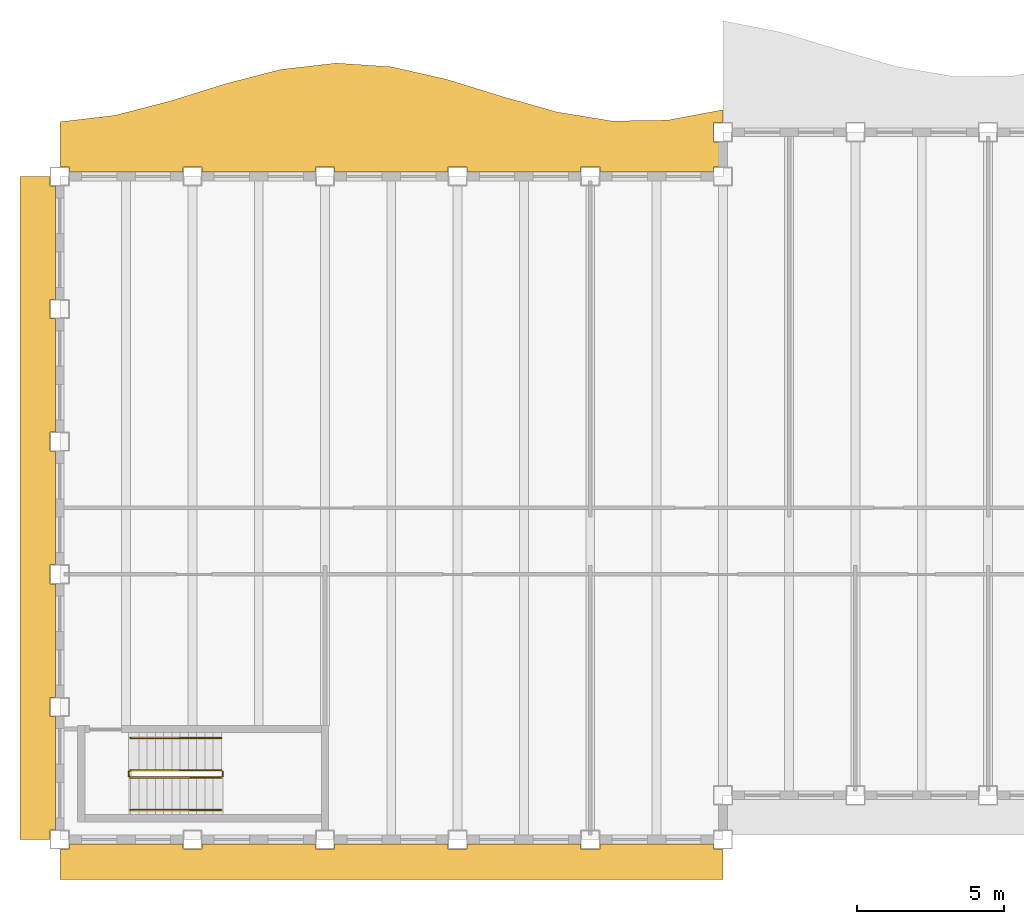
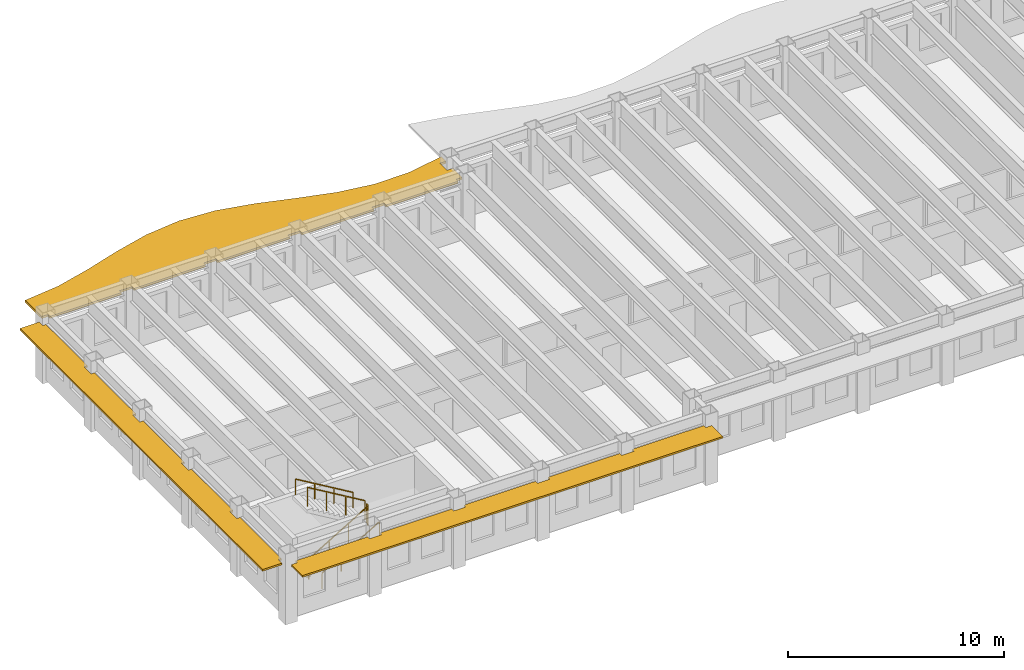
# One storey, part 8 of 12: 6 railings, 3 shading devices.
"""IFC4 building model written with IfcOpenShell, lengths in metres."""

import ifcopenshell
import ifcopenshell.guid

model = None  # the IFC model being written
_history = None  # IfcOwnerHistory: only IFC2X3 demands one
_inside = {}  # id of a spatial element -> (the spatial element, [elements in it])
_under = {}  # id of a project, library or spatial element -> (it, [spatial elements below it])
_declared = {}  # id of a project -> (the project, [libraries it declares])
_typed = {}  # id of a type object -> (the type object, [elements of that type])
_made_of = {}  # id of a material, layer set ... -> (it, [elements and type objects made of it])


def new_model(schema):
    """Start an empty IFC model of exactly this schema.

    Asked for "IFC4X3", IfcOpenShell would pick the latest addendum, in which some entities
    have other attributes; the version numbers below select the first issue.
    IFC2X3 requires an IfcOwnerHistory on every rooted entity: one is made here for all.
    """
    global model, _history
    if schema == "IFC4X3":
        model = ifcopenshell.file(schema_version=(4, 3, 0, 0))
    else:
        model = ifcopenshell.file(schema=schema)
    _inside.clear()
    _under.clear()
    _declared.clear()
    _typed.clear()
    _made_of.clear()
    _history = None
    if model.schema == "IFC2X3":
        org = make("IfcOrganization", Name="unknown")
        user = make(
            "IfcPersonAndOrganization",
            ThePerson=make("IfcPerson", FamilyName="unknown"),
            TheOrganization=org,
        )
        app = make(
            "IfcApplication",
            ApplicationDeveloper=org,
            Version="unknown",
            ApplicationFullName="unknown",
            ApplicationIdentifier="unknown",
        )
        _history = make(
            "IfcOwnerHistory",
            OwningUser=user,
            OwningApplication=app,
            ChangeAction="ADDED",
            CreationDate=0,
        )
    return model


def make(cls, **values):
    """One entity of the class cls with the attributes given. An attribute that is None is left unset."""
    return model.create_entity(
        cls, **{name: value for name, value in values.items() if value is not None}
    )


def rooted(cls, **values):
    """An entity with a GlobalId (a new one), such as an element, a storey or a relation."""
    return make(cls, GlobalId=ifcopenshell.guid.new(), OwnerHistory=_history, **values)


def si_unit(unit_type, name, prefix=None):
    """IfcSIUnit, for example si_unit("LENGTHUNIT", "METRE", prefix="MILLI")."""
    return make("IfcSIUnit", UnitType=unit_type, Prefix=prefix, Name=name)


def assignment(units):
    """IfcUnitAssignment: the units of a project."""
    return None if units is None else make("IfcUnitAssignment", Units=units)


def point(xyz):
    """IfcCartesianPoint."""
    return None if xyz is None else make("IfcCartesianPoint", Coordinates=xyz)


def direction(xyz):
    """IfcDirection."""
    return None if xyz is None else make("IfcDirection", DirectionRatios=xyz)


def frame(location, z_axis=None, x_axis=None):
    """IfcAxis2Placement3D, a coordinate frame: its origin and axes. An axis left out is left unset."""
    return make(
        "IfcAxis2Placement3D",
        Location=point(location),
        Axis=direction(z_axis),
        RefDirection=direction(x_axis),
    )


def frame_2d(location, x_axis=None):
    """IfcAxis2Placement2D, a coordinate frame in the plane: its origin and x axis."""
    return make(
        "IfcAxis2Placement2D", Location=point(location), RefDirection=direction(x_axis)
    )


def origin():
    """The frame at (0, 0, 0) with its axes left unset."""
    return frame((0.0, 0.0, 0.0))


def origin_2d():
    """The frame at (0, 0) in the plane with its x axis left unset."""
    return frame_2d((0.0, 0.0))


def place(relative_to, where):
    """IfcLocalPlacement: puts the frame where relative to a parent placement (None: the world)."""
    return make(
        "IfcLocalPlacement", PlacementRelTo=relative_to, RelativePlacement=where
    )


def context(
    kind, dimensions, precision=None, world=None, true_north=None, identifier=None
):
    """IfcGeometricRepresentationContext, for example the 3D "Model" context."""
    return make(
        "IfcGeometricRepresentationContext",
        ContextIdentifier=identifier,
        ContextType=kind,
        CoordinateSpaceDimension=dimensions,
        Precision=precision,
        WorldCoordinateSystem=world,
        TrueNorth=true_north,
    )


def subcontext(parent, identifier, kind, view, scale=None):
    """IfcGeometricRepresentationSubContext, for example "Body" below "Model"."""
    return make(
        "IfcGeometricRepresentationSubContext",
        ContextIdentifier=identifier,
        ContextType=kind,
        ParentContext=parent,
        TargetScale=scale,
        TargetView=view,
    )


def project(units=None, contexts=None):
    """IfcProject with its units and contexts."""
    return rooted(
        "IfcProject",
        Name="project",
        RepresentationContexts=contexts,
        UnitsInContext=assignment(units),
    )


def spatial(cls, under=None, at=None, **own):
    """A site, building, storey or space (cls), placed at a placement, below another one or the project."""
    s = rooted(cls, ObjectPlacement=at, **own)
    if under is not None:
        _under.setdefault(under.id(), (under, []))[1].append(s)
    return s


def polyline(points):
    """IfcPolyline through the points."""
    return make("IfcPolyline", Points=[point(p) for p in points])


def profile(cls, at=None, kind="AREA", **sizes):
    """A parametric profile (cls). Its sizes go by their IFC names, for example OverallWidth=200.0."""
    return make(cls, ProfileType=kind, Position=at, **sizes)


def rectangle(**sizes):
    """IfcRectangleProfileDef."""
    return profile("IfcRectangleProfileDef", **sizes)


def outline(outer, holes=None, kind="AREA"):
    """IfcArbitraryClosedProfileDef: a profile drawn as a closed curve; with holes, ...WithVoids."""
    if holes is None:
        return make("IfcArbitraryClosedProfileDef", ProfileType=kind, OuterCurve=outer)
    return make(
        "IfcArbitraryProfileDefWithVoids",
        ProfileType=kind,
        OuterCurve=outer,
        InnerCurves=holes,
    )


def extrude(swept, where, along, depth):
    """IfcExtrudedAreaSolid: the profile swept, set in the frame where, extruded along a direction by depth."""
    return make(
        "IfcExtrudedAreaSolid",
        SweptArea=swept,
        Position=where,
        ExtrudedDirection=direction(along),
        Depth=depth,
    )


def shape(context_of_items, identifier, shape_type, items):
    """IfcShapeRepresentation: the items that make up one representation, for example the "Body"."""
    return make(
        "IfcShapeRepresentation",
        ContextOfItems=context_of_items,
        RepresentationIdentifier=identifier,
        RepresentationType=shape_type,
        Items=items,
    )


def material(Name=None, Category=None):
    """IfcMaterial."""
    return make("IfcMaterial", Name=Name, Category=Category)


def layer(
    of_material, thickness, ventilated=None, Name=None, Category=None, Priority=None
):
    """IfcMaterialLayer: one layer of a wall or slab, of a material (None: an air gap)."""
    return make(
        "IfcMaterialLayer",
        Material=of_material,
        LayerThickness=thickness,
        IsVentilated=ventilated,
        Name=Name,
        Category=Category,
        Priority=Priority,
    )


def layer_set(layers, Name=None):
    """IfcMaterialLayerSet."""
    return make("IfcMaterialLayerSet", MaterialLayers=layers, LayerSetName=Name)


def made_of(thing, what):
    """Note that an element or type object is made of a material, layer set ...; save() writes the relation."""
    if what is not None:
        _made_of.setdefault(what.id(), (what, []))[1].append(thing)
    return thing


def type_object(cls, material=None, **own):
    """A type object (cls), such as IfcWallType, which elements share."""
    return made_of(rooted(cls, **own), material)


def element(
    cls,
    number,
    at=None,
    inside=None,
    cuts=None,
    type_object=None,
    material=None,
    context=None,
    identifier="Body",
    shape_type=None,
    held_by="IfcProductDefinitionShape",
    body=None,
    shapes=None,
    **own,
):
    """One element of the class cls, such as IfcWall. Its Tag is "e" and its number.

    at: its placement. inside: the storey or other place that contains it. cuts: it is an
    opening in that element (IfcRelVoidsElement). A single representation is given by context,
    identifier, shape_type and body (its items); several are given by shapes. held_by: the class
    of the entity that holds the representations. save() writes the other relations.
    """
    e = rooted(cls, Tag="e%d" % number, ObjectPlacement=at, **own)
    if body is not None:
        shapes = [shape(context, identifier, shape_type, body)]
    if shapes is not None:
        e.Representation = make(held_by, Representations=shapes)
    if inside is not None:
        _inside.setdefault(inside.id(), (inside, []))[1].append(e)
    if cuts is not None:
        rooted(
            "IfcRelVoidsElement", RelatingBuildingElement=cuts, RelatedOpeningElement=e
        )
    if type_object is not None:
        _typed.setdefault(type_object.id(), (type_object, []))[1].append(e)
    return made_of(e, material)


def aggregate(whole, parts):
    """IfcRelAggregates: a whole, such as a stair, and the parts it consists of."""
    return rooted("IfcRelAggregates", RelatingObject=whole, RelatedObjects=parts)


def save(model, path):
    """Write the relations noted so far, then the file.

    IfcRelAggregates (storeys below a building ...), IfcRelContainedInSpatialStructure (elements
    in a storey), IfcRelDefinesByType, IfcRelAssociatesMaterial and IfcRelDeclares: one each for
    every whole, place, type object, material and project.
    """
    for whole, parts in _under.values():
        aggregate(whole, parts)
    for where, things in _inside.values():
        rooted(
            "IfcRelContainedInSpatialStructure",
            RelatedElements=things,
            RelatingStructure=where,
        )
    for kind, things in _typed.values():
        rooted("IfcRelDefinesByType", RelatedObjects=things, RelatingType=kind)
    for what, things in _made_of.values():
        rooted("IfcRelAssociatesMaterial", RelatedObjects=things, RelatingMaterial=what)
    for by, libraries in _declared.values():
        rooted("IfcRelDeclares", RelatingContext=by, RelatedDefinitions=libraries)
    model.write(path)


model = new_model("IFC4")

# Units and contexts
model_context = context("Model", 3, precision=1e-05, world=origin(), true_north=direction((0.0, 1.0)))
body_context = subcontext(model_context, "Body", "Model", "MODEL_VIEW")
ifc_project = project(units=[si_unit("LENGTHUNIT", "METRE"), si_unit("AREAUNIT", "SQUARE_METRE"), si_unit("VOLUMEUNIT", "CUBIC_METRE"), si_unit("PLANEANGLEUNIT", "RADIAN"), si_unit("MASSUNIT", "GRAM", prefix="KILO")], contexts=[model_context])

# Site, building, storey
site_placement = place(None, origin())
site = spatial("IfcSite", under=ifc_project, at=site_placement, CompositionType="ELEMENT")
building_placement = place(site_placement, origin())
building = spatial("IfcBuilding", under=site, at=building_placement, Name="Sennacour Bend Tower", CompositionType="ELEMENT")
storey_placement = place(building_placement, frame((0.0, 0.0, 253.0)))
storey = spatial("IfcBuildingStorey", under=building, at=storey_placement, Name="L58", CompositionType="ELEMENT", Elevation=253.0)

# Railings
ifc_material_1 = material(Name="Stainless steel", Category="steel")
railing_type_1 = type_object("IfcRailingType", Name="RL-GUARD-1100", PredefinedType="GUARDRAIL", material=ifc_material_1)
railing_1_placement = place(storey_placement, frame((2.39990234375, 2.10009765625, 0.166748046875)))
element("IfcRailing", 1, at=railing_1_placement, inside=storey, type_object=railing_type_1, Name="L58 SK1 stair guard 1", PredefinedType="GUARDRAIL", context=body_context, shape_type="SweptSolid", body=[
    extrude(rectangle(XDim=0.048095703125, YDim=0.048095703125, at=origin_2d()), frame((0.0, 0.0, 1.076171875), z_axis=(0.859308565015, 0.0, 0.511457515432), x_axis=(0.0, 1.0, 0.0)), (0.0, 0.0, 1.0), 3.58447265625),
    extrude(rectangle(XDim=0.0419921875, YDim=0.0419921875, at=origin_2d()), origin(), (0.0, 0.0, 1.0), 1.052001953125),
    extrude(rectangle(XDim=0.0419921875, YDim=0.0419921875, at=origin_2d()), frame((1.026611328125, 0.0, 0.611083984375)), (0.0, 0.0, 1.0), 1.052001953125),
    extrude(rectangle(XDim=0.0419921875, YDim=0.0419921875, at=origin_2d()), frame((2.053466796875, 0.0, 1.22216796875)), (0.0, 0.0, 1.0), 1.052001953125),
    extrude(rectangle(XDim=0.0419921875, YDim=0.0419921875, at=origin_2d()), frame((3.080078125, 0.0, 1.833251953125)), (0.0, 0.0, 1.0), 1.052001953125),
])
railing_2_placement = place(storey_placement, frame((5.530029296875, 2.14990234375, 2.0)))
element("IfcRailing", 2, at=railing_2_placement, inside=storey, type_object=railing_type_1, Name="L58 SK1 stair guard 2", PredefinedType="GUARDRAIL", context=body_context, shape_type="SweptSolid", body=[
    extrude(rectangle(XDim=0.048095703125, YDim=0.048095703125, at=origin_2d()), frame((0.0, 0.0, 1.076171875), z_axis=(0.0, 1.0, 0.0), x_axis=(-1.0, 0.0, 0.0)), (0.0, 0.0, 1.0), 0.150146484375),
    extrude(rectangle(XDim=0.0419921875, YDim=0.0419921875, at=origin_2d()), origin(), (0.0, 0.0, 1.0), 1.052001953125),
    extrude(rectangle(XDim=0.0419921875, YDim=0.0419921875, at=origin_2d()), frame((0.0, 0.150146484375, 0.0)), (0.0, 0.0, 1.0), 1.052001953125),
])
railing_3_placement = place(storey_placement, frame((5.47998046875, 2.35009765625, 2.166748046875)))
element("IfcRailing", 3, at=railing_3_placement, inside=storey, type_object=railing_type_1, Name="L58 SK1 stair guard 3", PredefinedType="GUARDRAIL", context=body_context, shape_type="SweptSolid", body=[
    extrude(rectangle(XDim=0.048095703125, YDim=0.048095703125, at=origin_2d()), frame((0.0, 0.0, 1.076171875), z_axis=(-0.859308565015, 0.0, 0.511457515432), x_axis=(0.0, -1.0, 0.0)), (0.0, 0.0, 1.0), 3.58447265625),
    extrude(rectangle(XDim=0.0419921875, YDim=0.0419921875, at=origin_2d()), origin(), (0.0, 0.0, 1.0), 1.052001953125),
    extrude(rectangle(XDim=0.0419921875, YDim=0.0419921875, at=origin_2d()), frame((-1.026611328125, 0.0, 0.611083984375)), (0.0, 0.0, 1.0), 1.052001953125),
    extrude(rectangle(XDim=0.0419921875, YDim=0.0419921875, at=origin_2d()), frame((-2.053466796875, 0.0, 1.22216796875)), (0.0, 0.0, 1.0), 1.052001953125),
    extrude(rectangle(XDim=0.0419921875, YDim=0.0419921875, at=origin_2d()), frame((-3.080078125, 0.0, 1.833251953125)), (0.0, 0.0, 1.0), 1.052001953125),
])
railing_4_placement = place(storey_placement, frame((2.35009765625, 2.14990234375, 0.0)))
element("IfcRailing", 4, at=railing_4_placement, inside=storey, type_object=railing_type_1, Name="L58 SK1 stair guard 4", PredefinedType="GUARDRAIL", context=body_context, shape_type="SweptSolid", body=[
    extrude(rectangle(XDim=0.048095703125, YDim=0.048095703125, at=origin_2d()), frame((0.0, 0.0, 1.076171875), z_axis=(0.0, 1.0, 0.0), x_axis=(-1.0, 0.0, 0.0)), (0.0, 0.0, 1.0), 0.150146484375),
    extrude(rectangle(XDim=0.0419921875, YDim=0.0419921875, at=origin_2d()), origin(), (0.0, 0.0, 1.0), 1.052001953125),
    extrude(rectangle(XDim=0.0419921875, YDim=0.0419921875, at=origin_2d()), frame((0.0, 0.150146484375, 0.0)), (0.0, 0.0, 1.0), 1.052001953125),
])
railing_type_2 = type_object("IfcRailingType", Name="RL-HANDRAIL-900", PredefinedType="HANDRAIL", material=ifc_material_1)
railing_5_placement = place(storey_placement, frame((2.39990234375, 1.0, 0.166748046875)))
element("IfcRailing", 5, at=railing_5_placement, inside=storey, type_object=railing_type_2, Name="L58 SK1 stair handrail 1", PredefinedType="HANDRAIL", context=body_context, shape_type="SweptSolid", body=[
    extrude(rectangle(XDim=0.048095703125, YDim=0.048095703125, at=origin_2d()), frame((0.0, 0.0, 0.8759765625), z_axis=(0.859308565015, 0.0, 0.511457515432), x_axis=(0.0, 1.0, 0.0)), (0.0, 0.0, 1.0), 3.58447265625),
    extrude(rectangle(XDim=0.0419921875, YDim=0.0419921875, at=origin_2d()), origin(), (0.0, 0.0, 1.0), 0.851806640625),
    extrude(rectangle(XDim=0.0419921875, YDim=0.0419921875, at=origin_2d()), frame((1.026611328125, 0.0, 0.611083984375)), (0.0, 0.0, 1.0), 0.851806640625),
    extrude(rectangle(XDim=0.0419921875, YDim=0.0419921875, at=origin_2d()), frame((2.053466796875, 0.0, 1.22216796875)), (0.0, 0.0, 1.0), 0.851806640625),
    extrude(rectangle(XDim=0.0419921875, YDim=0.0419921875, at=origin_2d()), frame((3.080078125, 0.0, 1.833251953125)), (0.0, 0.0, 1.0), 0.851806640625),
])
railing_6_placement = place(storey_placement, frame((5.47998046875, 3.449951171875, 2.166748046875)))
element("IfcRailing", 6, at=railing_6_placement, inside=storey, type_object=railing_type_2, Name="L58 SK1 stair handrail 2", PredefinedType="HANDRAIL", context=body_context, shape_type="SweptSolid", body=[
    extrude(rectangle(XDim=0.048095703125, YDim=0.048095703125, at=origin_2d()), frame((0.0, 0.0, 0.8759765625), z_axis=(-0.859308565015, 0.0, 0.511457515432), x_axis=(0.0, -1.0, 0.0)), (0.0, 0.0, 1.0), 3.58447265625),
    extrude(rectangle(XDim=0.0419921875, YDim=0.0419921875, at=origin_2d()), origin(), (0.0, 0.0, 1.0), 0.851806640625),
    extrude(rectangle(XDim=0.0419921875, YDim=0.0419921875, at=origin_2d()), frame((-1.026611328125, 0.0, 0.611083984375)), (0.0, 0.0, 1.0), 0.851806640625),
    extrude(rectangle(XDim=0.0419921875, YDim=0.0419921875, at=origin_2d()), frame((-2.053466796875, 0.0, 1.22216796875)), (0.0, 0.0, 1.0), 0.851806640625),
    extrude(rectangle(XDim=0.0419921875, YDim=0.0419921875, at=origin_2d()), frame((-3.080078125, 0.0, 1.833251953125)), (0.0, 0.0, 1.0), 0.851806640625),
])

# Shading devices
ifc_material_2 = material(Name="Bronze anodised aluminium", Category="aluminium")
ifc_layer_1 = layer(ifc_material_2, 0.10009765625, Name="Bronze anodised aluminium", Category="aluminium")
ifc_layer_set_1 = layer_set([ifc_layer_1], Name="Bronze anodised aluminium")
shading_device_type_1 = type_object("IfcShadingDeviceType", Name="SUNSHADE BAND STRAIGHT", PredefinedType="USERDEFINED", material=ifc_layer_set_1)
shading_device_1_placement = place(storey_placement, frame((0.0, 0.0, 3.06201171875)))
element("IfcShadingDevice", 7, at=shading_device_1_placement, inside=storey, type_object=shading_device_type_1, Name="Sunshade band L58 K outer face", ObjectType="SUNSHADE", PredefinedType="USERDEFINED", context=body_context, shape_type="SweptSolid", body=[
    extrude(outline(polyline([(-0.14990234375, 18.324951171875), (-0.324951171875, 18.324951171875), (-0.324951171875, 17.675048828125), (-0.14990234375, 17.675048828125), (-0.14990234375, 13.824951171875), (-0.324951171875, 13.824951171875), (-0.324951171875, 13.175048828125), (-0.14990234375, 13.175048828125), (-0.14990234375, 9.324951171875), (-0.324951171875, 9.324951171875), (-0.324951171875, 8.675048828125), (-0.14990234375, 8.675048828125), (-0.14990234375, 4.824951171875), (-0.324951171875, 4.824951171875), (-0.324951171875, 4.175048828125), (-0.14990234375, 4.175048828125), (-0.14990234375, 0.324951171875), (-0.324951171875, 0.324951171875), (-0.324951171875, 0.0), (-1.35009765625, 0.0), (-1.35009765625, 22.5), (-0.324951171875, 22.5), (-0.324951171875, 22.175048828125), (-0.14990234375, 22.175048828125), (-0.14990234375, 18.324951171875)])), origin(), (0.0, 0.0, 1.0), 0.10009765625),
])
shading_device_2_placement = place(storey_placement, frame((0.0, 0.0, 3.06201171875)))
element("IfcShadingDevice", 8, at=shading_device_2_placement, inside=storey, type_object=shading_device_type_1, Name="Sunshade band L58 K outer face", ObjectType="SUNSHADE", PredefinedType="USERDEFINED", context=body_context, shape_type="SweptSolid", body=[
    extrude(outline(polyline([(4.175048828125, -0.14990234375), (4.175048828125, -0.324951171875), (4.824951171875, -0.324951171875), (4.824951171875, -0.14990234375), (8.675048828125, -0.14990234375), (8.675048828125, -0.324951171875), (9.324951171875, -0.324951171875), (9.324951171875, -0.14990234375), (13.175048828125, -0.14990234375), (13.175048828125, -0.324951171875), (13.824951171875, -0.324951171875), (13.824951171875, -0.14990234375), (17.675048828125, -0.14990234375), (17.675048828125, -0.324951171875), (18.324951171875, -0.324951171875), (18.324951171875, -0.14990234375), (22.175048828125, -0.14990234375), (22.175048828125, -0.324951171875), (22.5, -0.324951171875), (22.5, -1.35009765625), (0.0, -1.35009765625), (0.0, -0.324951171875), (0.324951171875, -0.324951171875), (0.324951171875, -0.14990234375), (4.175048828125, -0.14990234375)])), origin(), (0.0, 0.0, 1.0), 0.10009765625),
])
ifc_layer_2 = layer(ifc_material_2, 0.1201171875, Name="Bronze anodised aluminium", Category="aluminium")
ifc_layer_set_2 = layer_set([ifc_layer_2], Name="Bronze anodised aluminium")
shading_device_type_2 = type_object("IfcShadingDeviceType", Name="SUNSHADE BAND WAVE", PredefinedType="USERDEFINED", material=ifc_layer_set_2)
shading_device_3_placement = place(storey_placement, frame((0.0, 0.0, 3.0419921875)))
element("IfcShadingDevice", 9, at=shading_device_3_placement, inside=storey, type_object=shading_device_type_2, Name="Sunshade band L58 concave faces", ObjectType="SUNSHADE", PredefinedType="USERDEFINED", context=body_context, shape_type="SweptSolid", body=[
    extrude(outline(polyline([(22.175048828125, 22.64990234375), (18.324951171875, 22.64990234375), (18.324951171875, 22.824951171875), (17.675048828125, 22.824951171875), (17.675048828125, 22.64990234375), (13.824951171875, 22.64990234375), (13.824951171875, 22.824951171875), (13.175048828125, 22.824951171875), (13.175048828125, 22.64990234375), (9.324951171875, 22.64990234375), (9.324951171875, 22.824951171875), (8.675048828125, 22.824951171875), (8.675048828125, 22.64990234375), (4.824951171875, 22.64990234375), (4.824951171875, 22.824951171875), (4.175048828125, 22.824951171875), (4.175048828125, 22.64990234375), (0.324951171875, 22.64990234375), (0.324951171875, 22.824951171875), (0.0, 22.824951171875), (0.0, 24.353759765625), (1.875, 24.572998046875), (3.75, 25.05908203125), (5.625, 25.6455078125), (7.5, 26.130126953125), (9.375, 26.3466796875), (11.25, 26.220703125), (13.125, 25.79541015625), (15.0, 25.217041015625), (16.875, 24.684326171875), (18.75, 24.380615234375), (20.625, 24.409912109375), (22.5, 24.76220703125), (22.5, 24.324951171875), (22.175048828125, 24.324951171875), (22.175048828125, 23.675048828125), (22.5, 23.675048828125), (22.5, 22.824951171875), (22.175048828125, 22.824951171875), (22.175048828125, 22.64990234375)])), origin(), (0.0, 0.0, 1.0), 0.1201171875),
])

save(model, "model.ifc")
